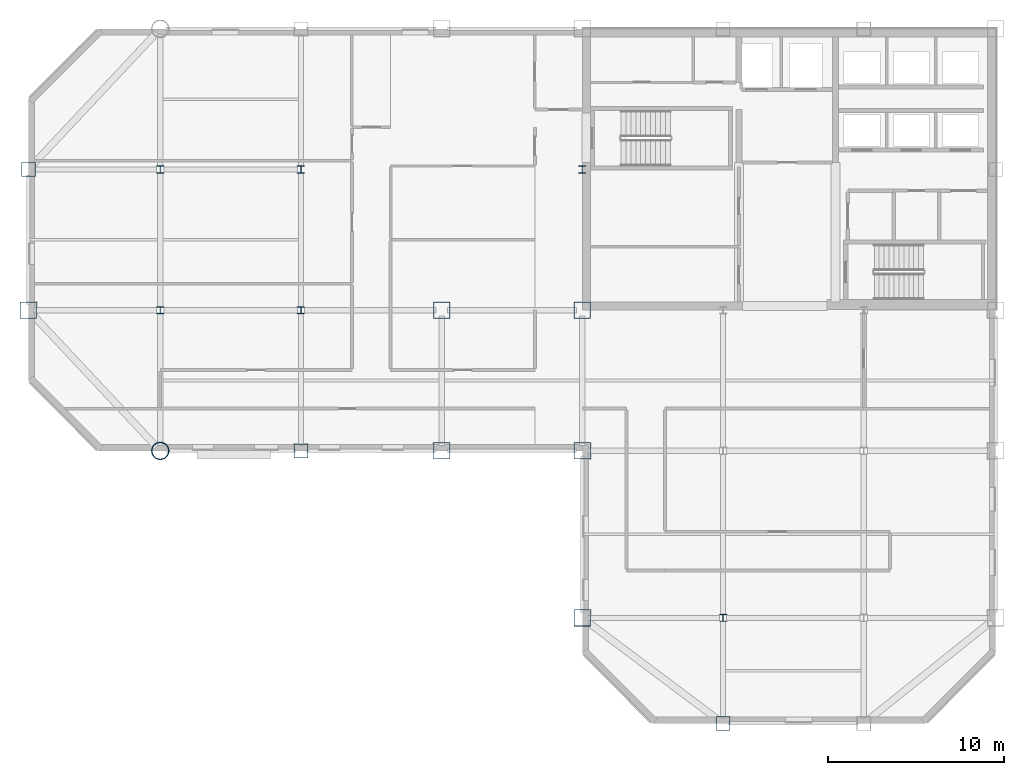
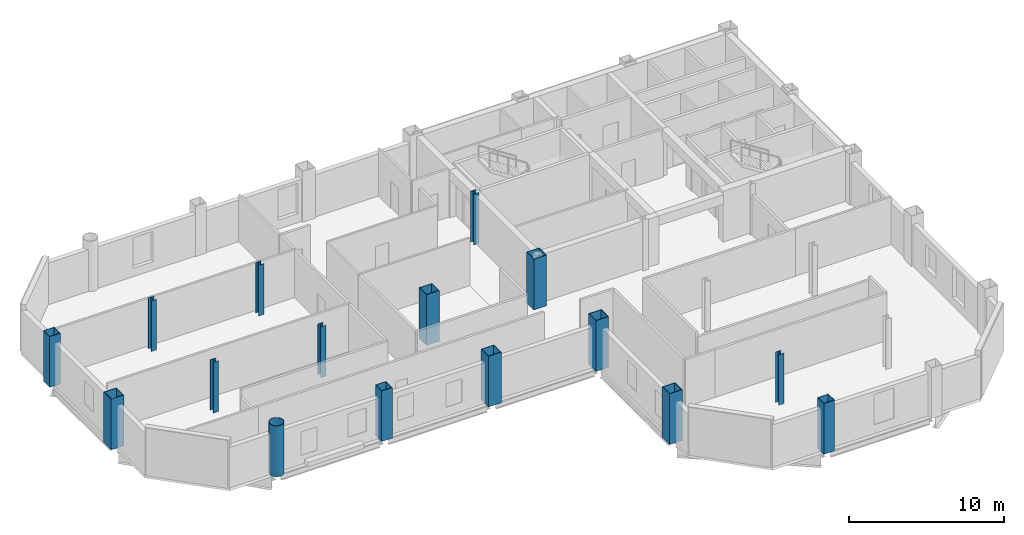
# One storey, part 1 of 10: 16 columns.
"""IFC4 building model written with IfcOpenShell, lengths in metres."""

import ifcopenshell
import ifcopenshell.guid

model = None  # the IFC model being written
_history = None  # IfcOwnerHistory: only IFC2X3 demands one
_inside = {}  # id of a spatial element -> (the spatial element, [elements in it])
_under = {}  # id of a project, library or spatial element -> (it, [spatial elements below it])
_declared = {}  # id of a project -> (the project, [libraries it declares])
_typed = {}  # id of a type object -> (the type object, [elements of that type])
_made_of = {}  # id of a material, layer set ... -> (it, [elements and type objects made of it])


def new_model(schema):
    """Start an empty IFC model of exactly this schema.

    Asked for "IFC4X3", IfcOpenShell would pick the latest addendum, in which some entities
    have other attributes; the version numbers below select the first issue.
    IFC2X3 requires an IfcOwnerHistory on every rooted entity: one is made here for all.
    """
    global model, _history
    if schema == "IFC4X3":
        model = ifcopenshell.file(schema_version=(4, 3, 0, 0))
    else:
        model = ifcopenshell.file(schema=schema)
    _inside.clear()
    _under.clear()
    _declared.clear()
    _typed.clear()
    _made_of.clear()
    _history = None
    if model.schema == "IFC2X3":
        org = make("IfcOrganization", Name="unknown")
        user = make(
            "IfcPersonAndOrganization",
            ThePerson=make("IfcPerson", FamilyName="unknown"),
            TheOrganization=org,
        )
        app = make(
            "IfcApplication",
            ApplicationDeveloper=org,
            Version="unknown",
            ApplicationFullName="unknown",
            ApplicationIdentifier="unknown",
        )
        _history = make(
            "IfcOwnerHistory",
            OwningUser=user,
            OwningApplication=app,
            ChangeAction="ADDED",
            CreationDate=0,
        )
    return model


def make(cls, **values):
    """One entity of the class cls with the attributes given. An attribute that is None is left unset."""
    return model.create_entity(
        cls, **{name: value for name, value in values.items() if value is not None}
    )


def rooted(cls, **values):
    """An entity with a GlobalId (a new one), such as an element, a storey or a relation."""
    return make(cls, GlobalId=ifcopenshell.guid.new(), OwnerHistory=_history, **values)


def si_unit(unit_type, name, prefix=None):
    """IfcSIUnit, for example si_unit("LENGTHUNIT", "METRE", prefix="MILLI")."""
    return make("IfcSIUnit", UnitType=unit_type, Prefix=prefix, Name=name)


def assignment(units):
    """IfcUnitAssignment: the units of a project."""
    return None if units is None else make("IfcUnitAssignment", Units=units)


def point(xyz):
    """IfcCartesianPoint."""
    return None if xyz is None else make("IfcCartesianPoint", Coordinates=xyz)


def direction(xyz):
    """IfcDirection."""
    return None if xyz is None else make("IfcDirection", DirectionRatios=xyz)


def frame(location, z_axis=None, x_axis=None):
    """IfcAxis2Placement3D, a coordinate frame: its origin and axes. An axis left out is left unset."""
    return make(
        "IfcAxis2Placement3D",
        Location=point(location),
        Axis=direction(z_axis),
        RefDirection=direction(x_axis),
    )


def frame_2d(location, x_axis=None):
    """IfcAxis2Placement2D, a coordinate frame in the plane: its origin and x axis."""
    return make(
        "IfcAxis2Placement2D", Location=point(location), RefDirection=direction(x_axis)
    )


def origin():
    """The frame at (0, 0, 0) with its axes left unset."""
    return frame((0.0, 0.0, 0.0))


def origin_2d():
    """The frame at (0, 0) in the plane with its x axis left unset."""
    return frame_2d((0.0, 0.0))


def place(relative_to, where):
    """IfcLocalPlacement: puts the frame where relative to a parent placement (None: the world)."""
    return make(
        "IfcLocalPlacement", PlacementRelTo=relative_to, RelativePlacement=where
    )


def context(
    kind, dimensions, precision=None, world=None, true_north=None, identifier=None
):
    """IfcGeometricRepresentationContext, for example the 3D "Model" context."""
    return make(
        "IfcGeometricRepresentationContext",
        ContextIdentifier=identifier,
        ContextType=kind,
        CoordinateSpaceDimension=dimensions,
        Precision=precision,
        WorldCoordinateSystem=world,
        TrueNorth=true_north,
    )


def subcontext(parent, identifier, kind, view, scale=None):
    """IfcGeometricRepresentationSubContext, for example "Body" below "Model"."""
    return make(
        "IfcGeometricRepresentationSubContext",
        ContextIdentifier=identifier,
        ContextType=kind,
        ParentContext=parent,
        TargetScale=scale,
        TargetView=view,
    )


def project(units=None, contexts=None):
    """IfcProject with its units and contexts."""
    return rooted(
        "IfcProject",
        Name="project",
        RepresentationContexts=contexts,
        UnitsInContext=assignment(units),
    )


def spatial(cls, under=None, at=None, **own):
    """A site, building, storey or space (cls), placed at a placement, below another one or the project."""
    s = rooted(cls, ObjectPlacement=at, **own)
    if under is not None:
        _under.setdefault(under.id(), (under, []))[1].append(s)
    return s


def profile(cls, at=None, kind="AREA", **sizes):
    """A parametric profile (cls). Its sizes go by their IFC names, for example OverallWidth=200.0."""
    return make(cls, ProfileType=kind, Position=at, **sizes)


def hollow_rectangle(**sizes):
    """IfcRectangleHollowProfileDef."""
    return profile("IfcRectangleHollowProfileDef", **sizes)


def hollow_circle(**sizes):
    """IfcCircleHollowProfileDef."""
    return profile("IfcCircleHollowProfileDef", **sizes)


def i_section(**sizes):
    """IfcIShapeProfileDef."""
    return profile("IfcIShapeProfileDef", **sizes)


def extrude(swept, where, along, depth):
    """IfcExtrudedAreaSolid: the profile swept, set in the frame where, extruded along a direction by depth."""
    return make(
        "IfcExtrudedAreaSolid",
        SweptArea=swept,
        Position=where,
        ExtrudedDirection=direction(along),
        Depth=depth,
    )


def shape(context_of_items, identifier, shape_type, items):
    """IfcShapeRepresentation: the items that make up one representation, for example the "Body"."""
    return make(
        "IfcShapeRepresentation",
        ContextOfItems=context_of_items,
        RepresentationIdentifier=identifier,
        RepresentationType=shape_type,
        Items=items,
    )


def material(Name=None, Category=None):
    """IfcMaterial."""
    return make("IfcMaterial", Name=Name, Category=Category)


def material_profile(
    of_material, cross_section, Name=None, Category=None, Priority=None
):
    """IfcMaterialProfile: a cross section and its material."""
    return make(
        "IfcMaterialProfile",
        Name=Name,
        Material=of_material,
        Profile=cross_section,
        Priority=Priority,
        Category=Category,
    )


def profile_set(profiles, Name=None, composite=None):
    """IfcMaterialProfileSet."""
    return make(
        "IfcMaterialProfileSet",
        Name=Name,
        MaterialProfiles=profiles,
        CompositeProfile=composite,
    )


def made_of(thing, what):
    """Note that an element or type object is made of a material, layer set ...; save() writes the relation."""
    if what is not None:
        _made_of.setdefault(what.id(), (what, []))[1].append(thing)
    return thing


def type_object(cls, material=None, **own):
    """A type object (cls), such as IfcWallType, which elements share."""
    return made_of(rooted(cls, **own), material)


def element(
    cls,
    number,
    at=None,
    inside=None,
    cuts=None,
    type_object=None,
    material=None,
    context=None,
    identifier="Body",
    shape_type=None,
    held_by="IfcProductDefinitionShape",
    body=None,
    shapes=None,
    **own,
):
    """One element of the class cls, such as IfcWall. Its Tag is "e" and its number.

    at: its placement. inside: the storey or other place that contains it. cuts: it is an
    opening in that element (IfcRelVoidsElement). A single representation is given by context,
    identifier, shape_type and body (its items); several are given by shapes. held_by: the class
    of the entity that holds the representations. save() writes the other relations.
    """
    e = rooted(cls, Tag="e%d" % number, ObjectPlacement=at, **own)
    if body is not None:
        shapes = [shape(context, identifier, shape_type, body)]
    if shapes is not None:
        e.Representation = make(held_by, Representations=shapes)
    if inside is not None:
        _inside.setdefault(inside.id(), (inside, []))[1].append(e)
    if cuts is not None:
        rooted(
            "IfcRelVoidsElement", RelatingBuildingElement=cuts, RelatedOpeningElement=e
        )
    if type_object is not None:
        _typed.setdefault(type_object.id(), (type_object, []))[1].append(e)
    return made_of(e, material)


def aggregate(whole, parts):
    """IfcRelAggregates: a whole, such as a stair, and the parts it consists of."""
    return rooted("IfcRelAggregates", RelatingObject=whole, RelatedObjects=parts)


def save(model, path):
    """Write the relations noted so far, then the file.

    IfcRelAggregates (storeys below a building ...), IfcRelContainedInSpatialStructure (elements
    in a storey), IfcRelDefinesByType, IfcRelAssociatesMaterial and IfcRelDeclares: one each for
    every whole, place, type object, material and project.
    """
    for whole, parts in _under.values():
        aggregate(whole, parts)
    for where, things in _inside.values():
        rooted(
            "IfcRelContainedInSpatialStructure",
            RelatedElements=things,
            RelatingStructure=where,
        )
    for kind, things in _typed.values():
        rooted("IfcRelDefinesByType", RelatedObjects=things, RelatingType=kind)
    for what, things in _made_of.values():
        rooted("IfcRelAssociatesMaterial", RelatedObjects=things, RelatingMaterial=what)
    for by, libraries in _declared.values():
        rooted("IfcRelDeclares", RelatingContext=by, RelatedDefinitions=libraries)
    model.write(path)


model = new_model("IFC4")

# Units and contexts
model_context = context("Model", 3, precision=1e-05, world=origin(), true_north=direction((0.0, 1.0)))
body_context = subcontext(model_context, "Body", "Model", "MODEL_VIEW")
ifc_project = project(units=[si_unit("LENGTHUNIT", "METRE"), si_unit("AREAUNIT", "SQUARE_METRE"), si_unit("VOLUMEUNIT", "CUBIC_METRE"), si_unit("PLANEANGLEUNIT", "RADIAN"), si_unit("MASSUNIT", "GRAM", prefix="KILO")], contexts=[model_context])

# Site, building, storey
site_placement = place(None, origin())
site = spatial("IfcSite", under=ifc_project, at=site_placement, CompositionType="ELEMENT")
building_placement = place(site_placement, origin())
building = spatial("IfcBuilding", under=site, at=building_placement, Name="Qianrong Seaharbour Tower", CompositionType="ELEMENT")
storey_placement = place(building_placement, frame((0.0, 0.0, 257.800048828125)))
storey = spatial("IfcBuildingStorey", under=building, at=storey_placement, Name="L62", CompositionType="ELEMENT", Elevation=257.800048828125)

# Columns
ifc_material = material(Name="Structural steel SN490B", Category="steel")
ifc_material_profile_1 = material_profile(ifc_material, hollow_rectangle(XDim=0.949951171875, YDim=0.949951171875, WallThickness=0.035888671875, at=origin_2d()), Name="BOX950x950x36")
ifc_profile_set_1 = profile_set([ifc_material_profile_1], Name="Structural steel SN490B")
column_type_1 = type_object("IfcColumnType", Name="COL-CFT-950", PredefinedType="COLUMN", material=ifc_profile_set_1)
for number, where, z_axis, x_axis, name in (
    (1, (9.0, 36.0, 0.0), (0.0, 0.0, 1.0), (1.0, 0.0, 0.0), "L62 Column MC-4 at G2/GF"),
    (2, (32.5, 28.0, 0.0), (0.0, 0.0, 1.0), (1.0, 0.0, 0.0), "L62 Column MC-4 at G5/GE"),
    (3, (32.5, 36.0, 0.0), (0.0, 0.0, 1.0), (1.0, 0.0, 0.0), "L62 Column MC-4 at G5/GF"),
    (4, (40.5, 18.5, 0.0), (0.0, 0.0, 1.0), (1.0, 0.0, 0.0), "L62 Column MC-4 at G6/GD"),
    (5, (40.5, 28.0, 0.0), (0.0, 0.0, 1.0), (1.0, 0.0, 0.0), "L62 Column MC-4 at G6/GE"),
    (6, (40.5, 36.0, 0.0), (0.0, 0.0, 1.0), (1.0, 0.0, 0.0), "L62 Column MC-4 at G6/GF"),
):
    element("IfcColumn", number, at=place(storey_placement, frame(where, z_axis=z_axis, x_axis=x_axis)), inside=storey, type_object=column_type_1, Name=name, PredefinedType="COLUMN", context=body_context, shape_type="SweptSolid", body=[
        extrude(hollow_rectangle(XDim=0.949951171875, YDim=0.949951171875, WallThickness=0.035888671875, at=origin_2d()), origin(), (0.0, 0.0, 1.0), 4.0),
    ])
ifc_material_profile_2 = material_profile(ifc_material, hollow_circle(Radius=0.5, WallThickness=0.035888671875, at=origin_2d()), Name="CHS1000x36")
ifc_profile_set_2 = profile_set([ifc_material_profile_2], Name="Structural steel SN490B")
column_type_2 = type_object("IfcColumnType", Name="COL-CHS-1000", PredefinedType="COLUMN", material=ifc_profile_set_2)
column_placement = place(storey_placement, frame((16.5, 28.0, 0.0), z_axis=(0.0, 0.0, 1.0), x_axis=(1.0, 0.0, 0.0)))
element("IfcColumn", 7, at=column_placement, inside=storey, type_object=column_type_2, Name="L62 Column CC-2 at G3/GE", PredefinedType="COLUMN", context=body_context, shape_type="SweptSolid", body=[
    extrude(hollow_circle(Radius=0.5, WallThickness=0.035888671875, at=origin_2d()), origin(), (0.0, 0.0, 1.0), 4.0),
])
ifc_material_profile_3 = material_profile(ifc_material, i_section(OverallWidth=0.39990234375, OverallDepth=0.39990234375, WebThickness=0.012939453125, FlangeThickness=0.02099609375, FilletRadius=0.02197265625, at=origin_2d()), Name="H400x400x13x21")
ifc_profile_set_3 = profile_set([ifc_material_profile_3], Name="Structural steel SN490B")
column_type_3 = type_object("IfcColumnType", Name="COL-INT-H400", PredefinedType="COLUMN", material=ifc_profile_set_3)
for number, where, z_axis, x_axis, name in (
    (8, (16.5, 36.0, 0.0), (0.0, 0.0, 1.0), (1.0, 0.0, 0.0), "L62 Column IC-3 at G3/GF"),
    (9, (16.5, 44.0, 0.0), (0.0, 0.0, 1.0), (1.0, 0.0, 0.0), "L62 Column IC-3 at G3/GG"),
    (10, (24.5, 36.0, 0.0), (0.0, 0.0, 1.0), (1.0, 0.0, 0.0), "L62 Column IC-3 at G4/GF"),
    (11, (24.5, 44.0, 0.0), (0.0, 0.0, 1.0), (1.0, 0.0, 0.0), "L62 Column IC-3 at G4/GG"),
    (12, (40.5, 44.0, 0.0), (0.0, 0.0, 1.0), (1.0, 0.0, 0.0), "L62 Column IC-3 at G6/GG"),
    (13, (48.5, 18.5, 0.0), (0.0, 0.0, 1.0), (1.0, 0.0, 0.0), "L62 Column IC-3 at G7/GD"),
):
    element("IfcColumn", number, at=place(storey_placement, frame(where, z_axis=z_axis, x_axis=x_axis)), inside=storey, type_object=column_type_3, Name=name, PredefinedType="COLUMN", context=body_context, shape_type="SweptSolid", body=[
        extrude(i_section(OverallWidth=0.39990234375, OverallDepth=0.39990234375, WebThickness=0.012939453125, FlangeThickness=0.02099609375, FilletRadius=0.02197265625, at=origin_2d()), origin(), (0.0, 0.0, 1.0), 4.0),
    ])
ifc_material_profile_4 = material_profile(ifc_material, hollow_rectangle(XDim=0.800048828125, YDim=0.800048828125, WallThickness=0.031982421875, at=origin_2d()), Name="BOX800x800x32")
ifc_profile_set_4 = profile_set([ifc_material_profile_4], Name="Structural steel SN490B")
column_type_4 = type_object("IfcColumnType", Name="COL-PER-800", PredefinedType="COLUMN", material=ifc_profile_set_4)
for number, where, z_axis, x_axis, name in (
    (14, (9.0, 44.0, 0.0), (0.0, 0.0, 1.0), (1.0, 0.0, 0.0), "L62 Column PC-3 at G2/GG"),
    (15, (24.5, 28.0, 0.0), (0.0, 0.0, 1.0), (1.0, 0.0, 0.0), "L62 Column PC-3 at G4/GE"),
    (16, (48.5, 12.5, 0.0), (0.0, 0.0, 1.0), (1.0, 0.0, 0.0), "L62 Column PC-3 at G7/GC"),
):
    element("IfcColumn", number, at=place(storey_placement, frame(where, z_axis=z_axis, x_axis=x_axis)), inside=storey, type_object=column_type_4, Name=name, PredefinedType="COLUMN", context=body_context, shape_type="SweptSolid", body=[
        extrude(hollow_rectangle(XDim=0.800048828125, YDim=0.800048828125, WallThickness=0.031982421875, at=origin_2d()), origin(), (0.0, 0.0, 1.0), 4.0),
    ])

save(model, "model.ifc")
